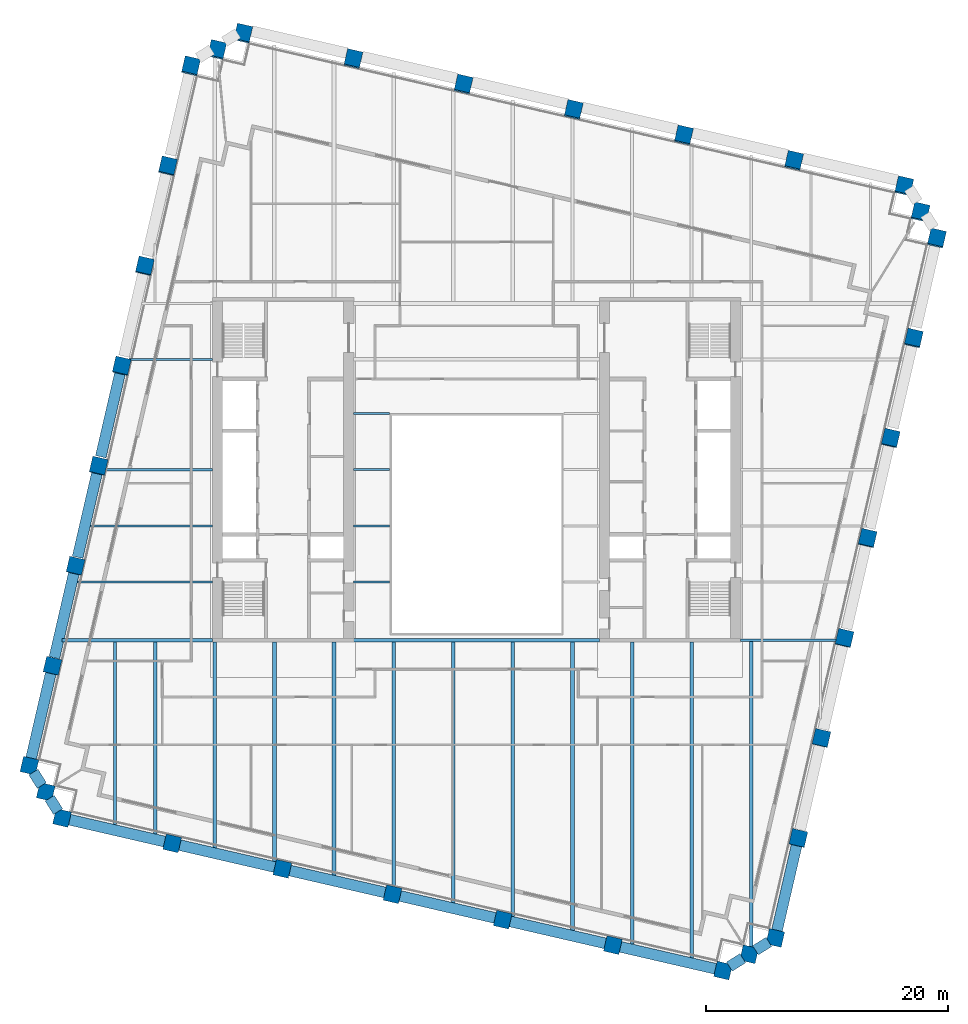
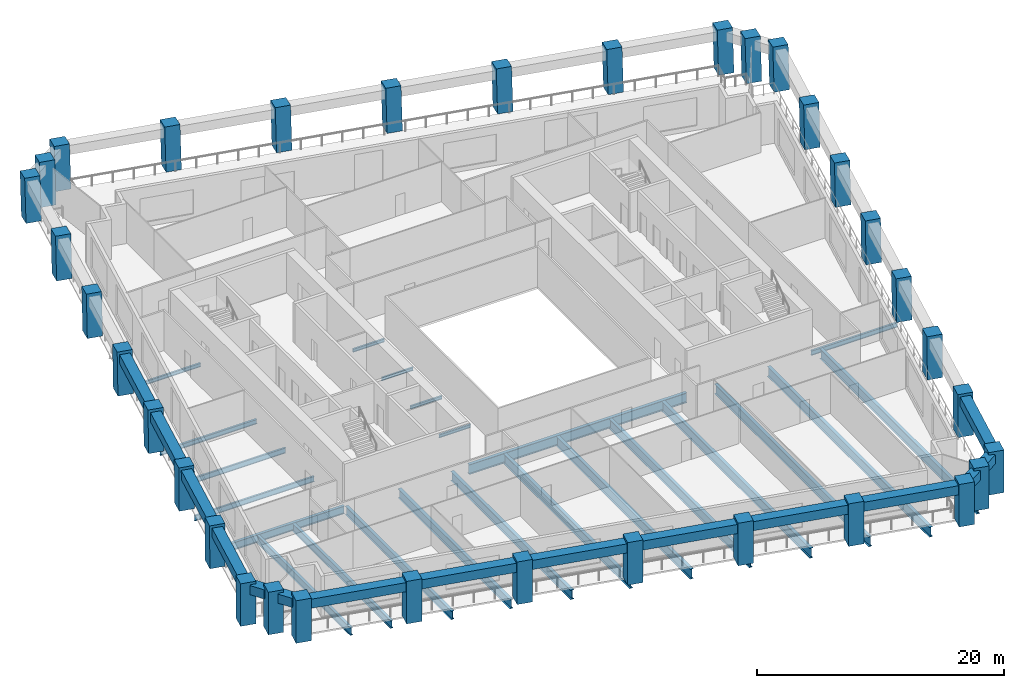
# One storey, part 1 of 10: 38 beams, 34 columns.
"""IFC4 building model written with IfcOpenShell, lengths in metres."""

from ifc_helpers import new_model, si_unit, direction, frame, origin, origin_2d, place, context, subcontext, project, spatial, rectangle, i_section, extrude, material, material_profile, profile_set, type_object, element, save


model = new_model("IFC4")

# Units and contexts
model_context = context("Model", 3, precision=1e-05, world=origin(), true_north=direction((0.0, 1.0)))
body_context = subcontext(model_context, "Body", "Model", "MODEL_VIEW")
ifc_project = project(units=[si_unit("LENGTHUNIT", "METRE"), si_unit("AREAUNIT", "SQUARE_METRE"), si_unit("VOLUMEUNIT", "CUBIC_METRE"), si_unit("PLANEANGLEUNIT", "RADIAN"), si_unit("MASSUNIT", "GRAM", prefix="KILO")], contexts=[model_context])

# Site, building, storey
site_placement = place(None, origin())
site = spatial("IfcSite", under=ifc_project, at=site_placement, CompositionType="ELEMENT")
building_placement = place(site_placement, origin())
building = spatial("IfcBuilding", under=site, at=building_placement, Name="Ogive Exchange Tower", CompositionType="ELEMENT")
storey_placement = place(building_placement, frame((0.0, 0.0, 151.800048828125)))
storey = spatial("IfcBuildingStorey", under=building, at=storey_placement, Name="L33", CompositionType="ELEMENT", Elevation=151.800048828125)

# Columns
ifc_material_1 = material(Name="Precast concrete C70/85 (limestone faced)", Category="masonry")
ifc_material_profile_1 = material_profile(ifc_material_1, rectangle(XDim=1.300048828125, YDim=1.300048828125, at=origin_2d()), Name="1300 x 1300")
ifc_profile_set_1 = profile_set([ifc_material_profile_1], Name="Precast concrete C70/85 (limestone faced)")
column_type = type_object("IfcColumnType", Name="Precast exoskeleton leg 1300 x 1300 C70/85", PredefinedType="COLUMN", material=ifc_profile_set_1)
for number, where, z_axis, x_axis, name in (
    (1, (-34.281982421875, -17.298095703125, 0.0), (0.0, 0.0, 1.0), (0.974370064785, -0.224951054344, 0.0), "Exoskeleton leg 1"),
    (2, (-25.171630859375, -19.401611328125, 0.0), (0.0, 0.0, 1.0), (0.974370064785, -0.224951054344, 0.0), "Exoskeleton leg 2"),
    (3, (-16.061279296875, -21.504638671875, 0.0), (0.0, 0.0, 1.0), (0.974370064785, -0.224951054344, 0.0), "Exoskeleton leg 3"),
    (4, (-6.950927734375, -23.60791015625, 0.0), (0.0, 0.0, 1.0), (0.974370064785, -0.224951054344, 0.0), "Exoskeleton leg 4"),
    (5, (2.159423828125, -25.711181640625, 0.0), (0.0, 0.0, 1.0), (0.974370064785, -0.224951054344, 0.0), "Exoskeleton leg 5"),
    (6, (11.269775390625, -27.814697265625, 0.0), (0.0, 0.0, 1.0), (0.974370064785, -0.224951054344, 0.0), "Exoskeleton leg 6"),
    (7, (20.380126953125, -29.91796875, 0.0), (0.0, 0.0, 1.0), (0.974370064785, -0.224951054344, 0.0), "Exoskeleton leg 7"),
    (8, (24.697509765625, -27.219970703125, 0.0), (0.0, 0.0, 1.0), (0.974370064785, -0.224951054344, 0.0), "Exoskeleton leg 8"),
):
    element("IfcColumn", number, at=place(storey_placement, frame(where, z_axis=z_axis, x_axis=x_axis)), inside=storey, type_object=column_type, Name=name, PredefinedType="COLUMN", context=body_context, shape_type="SweptSolid", body=[
        extrude(rectangle(XDim=1.300048828125, YDim=1.300048828125, at=origin_2d()), origin(), (0.0, 0.0, 1.0), 4.199951171875),
    ])
column_1_placement = place(storey_placement, frame((26.604736328125, -18.95947265625, 0.0), z_axis=(0.002906224189, 0.012671137464, 0.999915494498), x_axis=(-0.974691740237, 0.22355315143, 0.0)))
element("IfcColumn", 9, at=column_1_placement, inside=storey, type_object=column_type, Name="Exoskeleton leg 9", PredefinedType="COLUMN", context=body_context, shape_type="SweptSolid", body=[
    extrude(rectangle(XDim=1.300048828125, YDim=1.300048828125, at=origin_2d()), origin(), (0.0, 0.0, 1.0), 4.2001953125),
])
column_2_placement = place(storey_placement, frame((28.511962890625, -10.69873046875, 0.0), z_axis=(0.005810975449, 0.025335852957, 0.999662106474), x_axis=(-0.974691740237, 0.22355315143, 0.0)))
element("IfcColumn", 10, at=column_2_placement, inside=storey, type_object=column_type, Name="Exoskeleton leg 10", PredefinedType="COLUMN", context=body_context, shape_type="SweptSolid", body=[
    extrude(rectangle(XDim=1.300048828125, YDim=1.300048828125, at=origin_2d()), origin(), (0.0, 0.0, 1.0), 4.201416015625),
])
column_3_placement = place(storey_placement, frame((30.4189453125, -2.43798828125, 0.0), z_axis=(0.008770904004, 0.037871717951, 0.999244116431), x_axis=(-0.974214614928, 0.225623323396, 0.0)))
element("IfcColumn", 11, at=column_3_placement, inside=storey, type_object=column_type, Name="Exoskeleton leg 11", PredefinedType="COLUMN", context=body_context, shape_type="SweptSolid", body=[
    extrude(rectangle(XDim=1.300048828125, YDim=1.300048828125, at=origin_2d()), origin(), (0.0, 0.0, 1.0), 4.203125),
])
column_4_placement = place(storey_placement, frame((32.326171875, 5.822509765625, 0.0), z_axis=(0.011668267153, 0.050562490995, 0.998652735462), x_axis=(-0.974391195695, 0.224859506699, 0.0)))
element("IfcColumn", 12, at=column_4_placement, inside=storey, type_object=column_type, Name="Exoskeleton leg 12", PredefinedType="COLUMN", context=body_context, shape_type="SweptSolid", body=[
    extrude(rectangle(XDim=1.300048828125, YDim=1.300048828125, at=origin_2d()), origin(), (0.0, 0.0, 1.0), 4.20556640625),
])
column_5_placement = place(storey_placement, frame((34.233154296875, 14.083251953125, 0.0), z_axis=(0.014617836866, 0.063111930596, 0.997899395261), x_axis=(-0.974209784844, 0.225644178107, 0.0)))
element("IfcColumn", 13, at=column_5_placement, inside=storey, type_object=column_type, Name="Exoskeleton leg 13", PredefinedType="COLUMN", context=body_context, shape_type="SweptSolid", body=[
    extrude(rectangle(XDim=1.300048828125, YDim=1.300048828125, at=origin_2d()), origin(), (0.0, 0.0, 1.0), 4.208740234375),
])
column_6_placement = place(storey_placement, frame((36.140380859375, 22.34375, 0.0), z_axis=(0.017502025619, 0.075687567741, 0.996977969259), x_axis=(-0.974290512438, 0.225295355862, 0.0)))
element("IfcColumn", 14, at=column_6_placement, inside=storey, type_object=column_type, Name="Exoskeleton leg 14", PredefinedType="COLUMN", context=body_context, shape_type="SweptSolid", body=[
    extrude(rectangle(XDim=1.300048828125, YDim=1.300048828125, at=origin_2d()), origin(), (0.0, 0.0, 1.0), 4.212646484375),
])
for number, where, z_axis, x_axis, name in (
    (15, (38.047607421875, 30.6044921875, 0.0), (0.020319626563, 0.088225387128, 0.995893264282), (-0.974488096918, 0.224439187676, 0.0), "Exoskeleton leg 15"),
    (16, (35.349609375, 34.922119140625, 0.0), (0.020377597275, 0.088167842757, 0.995897175934), (-0.97431566651, 0.225186549318, 0.0), "Exoskeleton leg 16"),
    (17, (26.2392578125, 37.025390625, 0.0), (0.020377597275, 0.088167842757, 0.995897175934), (-0.97431566651, 0.225186549318, 0.0), "Exoskeleton leg 17"),
    (18, (17.12890625, 39.128662109375, 0.0), (0.020319730311, 0.088167946619, 0.995898349105), (-0.97445585692, 0.224579123952, 0.0), "Exoskeleton leg 18"),
    (19, (8.0185546875, 41.23193359375, 0.0), (0.020377493232, 0.0882252832, 0.995892091129), (-0.97434807649, 0.225046274885, 0.0), "Exoskeleton leg 19"),
    (20, (-1.091796875, 43.335205078125, 0.0), (0.020319626563, 0.088225387128, 0.995893264282), (-0.974488096918, 0.224439187676, 0.0), "Exoskeleton leg 20"),
    (21, (-10.2021484375, 45.4384765625, 0.0), (0.020377493232, 0.0882252832, 0.995892091129), (-0.97434807649, 0.225046274885, 0.0), "Exoskeleton leg 21"),
    (22, (-19.3125, 47.541748046875, 0.0), (0.020319626563, 0.088225387128, 0.995893264282), (-0.974488096918, 0.224439187676, 0.0), "Exoskeleton leg 22"),
    (23, (-23.630126953125, 44.84375, 0.0), (0.020377493232, 0.0882252832, 0.995892091129), (-0.97434807649, 0.225046274885, 0.0), "Exoskeleton leg 23"),
):
    element("IfcColumn", number, at=place(storey_placement, frame(where, z_axis=z_axis, x_axis=x_axis)), inside=storey, type_object=column_type, Name=name, PredefinedType="COLUMN", context=body_context, shape_type="SweptSolid", body=[
        extrude(rectangle(XDim=1.300048828125, YDim=1.300048828125, at=origin_2d()), origin(), (0.0, 0.0, 1.0), 4.21728515625),
    ])
column_7_placement = place(storey_placement, frame((-25.537353515625, 36.583251953125, 0.0), z_axis=(0.017502025619, 0.075687567741, 0.996977969259), x_axis=(-0.974290512438, 0.225295355862, 0.0)))
element("IfcColumn", 24, at=column_7_placement, inside=storey, type_object=column_type, Name="Exoskeleton leg 24", PredefinedType="COLUMN", context=body_context, shape_type="SweptSolid", body=[
    extrude(rectangle(XDim=1.300048828125, YDim=1.300048828125, at=origin_2d()), origin(), (0.0, 0.0, 1.0), 4.212646484375),
])
column_8_placement = place(storey_placement, frame((-27.4443359375, 28.322509765625, 0.0), z_axis=(0.014559788571, 0.063169759976, 0.997896584813), x_axis=(-0.97445148511, 0.224598092528, 0.0)))
element("IfcColumn", 25, at=column_8_placement, inside=storey, type_object=column_type, Name="Exoskeleton leg 25", PredefinedType="COLUMN", context=body_context, shape_type="SweptSolid", body=[
    extrude(rectangle(XDim=1.300048828125, YDim=1.300048828125, at=origin_2d()), origin(), (0.0, 0.0, 1.0), 4.208740234375),
])
column_9_placement = place(storey_placement, frame((-29.3515625, 20.06201171875, 0.0), z_axis=(0.011668301382, 0.050504588071, 0.998655665045), x_axis=(-0.974334539389, 0.225104876342, 0.0)))
element("IfcColumn", 26, at=column_9_placement, inside=storey, type_object=column_type, Name="Exoskeleton leg 26", PredefinedType="COLUMN", context=body_context, shape_type="SweptSolid", body=[
    extrude(rectangle(XDim=1.300048828125, YDim=1.300048828125, at=origin_2d()), origin(), (0.0, 0.0, 1.0), 4.20556640625),
])
column_10_placement = place(storey_placement, frame((-31.258544921875, 11.80126953125, 0.0), z_axis=(0.008770884695, 0.037929719907, 0.99924191662), x_axis=(-0.974290512438, 0.225295355862, 0.0)))
element("IfcColumn", 27, at=column_10_placement, inside=storey, type_object=column_type, Name="Exoskeleton leg 27", PredefinedType="COLUMN", context=body_context, shape_type="SweptSolid", body=[
    extrude(rectangle(XDim=1.300048828125, YDim=1.300048828125, at=origin_2d()), origin(), (0.0, 0.0, 1.0), 4.203125),
])
column_11_placement = place(storey_placement, frame((-33.165771484375, 3.540771484375, 0.0), z_axis=(0.005869091843, 0.025277771797, 0.999663237302), x_axis=(-0.974088391429, 0.226167649504, 0.0)))
element("IfcColumn", 28, at=column_11_placement, inside=storey, type_object=column_type, Name="Exoskeleton leg 28", PredefinedType="COLUMN", context=body_context, shape_type="SweptSolid", body=[
    extrude(rectangle(XDim=1.300048828125, YDim=1.300048828125, at=origin_2d()), origin(), (0.0, 0.0, 1.0), 4.201416015625),
])
column_12_placement = place(storey_placement, frame((-35.072998046875, -4.719970703125, 0.0), z_axis=(0.002964348167, 0.012671135303, 0.9999153239), x_axis=(-0.973709261374, 0.227794368487, 0.0)))
element("IfcColumn", 29, at=column_12_placement, inside=storey, type_object=column_type, Name="Exoskeleton leg 29", PredefinedType="COLUMN", context=body_context, shape_type="SweptSolid", body=[
    extrude(rectangle(XDim=1.300048828125, YDim=1.300048828125, at=origin_2d()), origin(), (0.0, 0.0, 1.0), 4.2001953125),
])
for number, where, z_axis, x_axis, name in (
    (30, (-36.97998046875, -12.980712890625, 0.0), (0.0, 0.0, 1.0), (0.974370064785, -0.224951054344, 0.0), "Exoskeleton leg 30"),
    (31, (22.538818359375, -28.569091796875, 0.0), (0.0, 0.0, 1.0), (0.974370064785, -0.224951054344, 0.0), "Exoskeleton leg 31"),
):
    element("IfcColumn", number, at=place(storey_placement, frame(where, z_axis=z_axis, x_axis=x_axis)), inside=storey, type_object=column_type, Name=name, PredefinedType="COLUMN", context=body_context, shape_type="SweptSolid", body=[
        extrude(rectangle(XDim=1.300048828125, YDim=1.300048828125, at=origin_2d()), origin(), (0.0, 0.0, 1.0), 4.199951171875),
    ])
for number, where, z_axis, x_axis, name in (
    (32, (36.698486328125, 32.76318359375, 0.0), (0.020377493232, 0.0882252832, 0.995892091129), (-0.97434807649, 0.225046274885, 0.0), "Exoskeleton leg 32"),
    (33, (-21.471435546875, 46.19287109375, 0.0), (0.020377597275, 0.088167842757, 0.995897175934), (-0.97431566651, 0.225186549318, 0.0), "Exoskeleton leg 33"),
):
    element("IfcColumn", number, at=place(storey_placement, frame(where, z_axis=z_axis, x_axis=x_axis)), inside=storey, type_object=column_type, Name=name, PredefinedType="COLUMN", context=body_context, shape_type="SweptSolid", body=[
        extrude(rectangle(XDim=1.300048828125, YDim=1.300048828125, at=origin_2d()), origin(), (0.0, 0.0, 1.0), 4.21728515625),
    ])
column_13_placement = place(storey_placement, frame((-35.631103515625, -15.139404296875, 0.0), z_axis=(0.0, 0.0, 1.0), x_axis=(0.974370064785, -0.224951054344, 0.0)))
element("IfcColumn", 34, at=column_13_placement, inside=storey, type_object=column_type, Name="Exoskeleton leg 34", PredefinedType="COLUMN", context=body_context, shape_type="SweptSolid", body=[
    extrude(rectangle(XDim=1.300048828125, YDim=1.300048828125, at=origin_2d()), origin(), (0.0, 0.0, 1.0), 4.199951171875),
])

# Beams
ifc_material_2 = material(Name="Steel ASTM A992 Gr50", Category="steel")
ifc_material_profile_2 = material_profile(ifc_material_2, i_section(OverallWidth=0.300048828125, OverallDepth=0.97998046875, WebThickness=0.0166015625, FlangeThickness=0.026123046875, at=origin_2d()), Name="W1000x249")
ifc_profile_set_2 = profile_set([ifc_material_profile_2], Name="Steel ASTM A992 Gr50")
beam_type_1 = type_object("IfcBeamType", Name="Floor beam W1000x249", PredefinedType="JOIST", material=ifc_profile_set_2)
beam_1_placement = place(storey_placement, frame((-6.861083984375, -23.1669921875, -0.68994140625), z_axis=(0.0, 1.0, 0.0), x_axis=(-1.0, 0.0, 0.0)))
element("IfcBeam", 35, at=beam_1_placement, inside=storey, type_object=beam_type_1, Name="Floor beam", PredefinedType="JOIST", context=body_context, shape_type="SweptSolid", body=[
    extrude(i_section(OverallWidth=0.300048828125, OverallDepth=0.97998046875, WebThickness=0.0166015625, FlangeThickness=0.026123046875, at=origin_2d()), origin(), (0.0, 0.0, 1.0), 20.421875),
])
beam_2_placement = place(storey_placement, frame((-1.93115234375, -24.455078125, -0.68994140625), z_axis=(0.0, 1.0, 0.0), x_axis=(-1.0, 0.0, 0.0)))
element("IfcBeam", 36, at=beam_2_placement, inside=storey, type_object=beam_type_1, Name="Floor beam", PredefinedType="JOIST", context=body_context, shape_type="SweptSolid", body=[
    extrude(i_section(OverallWidth=0.300048828125, OverallDepth=0.97998046875, WebThickness=0.0166015625, FlangeThickness=0.026123046875, at=origin_2d()), origin(), (0.0, 0.0, 1.0), 21.7099609375),
])
beam_3_placement = place(storey_placement, frame((2.998779296875, -25.443359375, -0.68994140625), z_axis=(0.0, 1.0, 0.0), x_axis=(-1.0, 0.0, 0.0)))
element("IfcBeam", 37, at=beam_3_placement, inside=storey, type_object=beam_type_1, Name="Floor beam", PredefinedType="JOIST", context=body_context, shape_type="SweptSolid", body=[
    extrude(i_section(OverallWidth=0.300048828125, OverallDepth=0.97998046875, WebThickness=0.0166015625, FlangeThickness=0.026123046875, at=origin_2d()), origin(), (0.0, 0.0, 1.0), 22.6982421875),
])
beam_4_placement = place(storey_placement, frame((7.9287109375, -26.7314453125, -0.68994140625), z_axis=(0.0, 1.0, 0.0), x_axis=(-1.0, 0.0, 0.0)))
element("IfcBeam", 38, at=beam_4_placement, inside=storey, type_object=beam_type_1, Name="Floor beam", PredefinedType="JOIST", context=body_context, shape_type="SweptSolid", body=[
    extrude(i_section(OverallWidth=0.300048828125, OverallDepth=0.97998046875, WebThickness=0.0166015625, FlangeThickness=0.026123046875, at=origin_2d()), origin(), (0.0, 0.0, 1.0), 23.986328125),
])
beam_5_placement = place(storey_placement, frame((12.8583984375, -27.719482421875, -0.68994140625), z_axis=(0.0, 1.0, 0.0), x_axis=(-1.0, 0.0, 0.0)))
element("IfcBeam", 39, at=beam_5_placement, inside=storey, type_object=beam_type_1, Name="Floor beam", PredefinedType="JOIST", context=body_context, shape_type="SweptSolid", body=[
    extrude(i_section(OverallWidth=0.300048828125, OverallDepth=0.97998046875, WebThickness=0.0166015625, FlangeThickness=0.026123046875, at=origin_2d()), origin(), (0.0, 0.0, 1.0), 24.969482421875),
])
beam_6_placement = place(storey_placement, frame((17.788330078125, -29.0078125, -0.68994140625), z_axis=(0.0, 1.0, 0.0), x_axis=(-1.0, 0.0, 0.0)))
element("IfcBeam", 40, at=beam_6_placement, inside=storey, type_object=beam_type_1, Name="Floor beam", PredefinedType="JOIST", context=body_context, shape_type="SweptSolid", body=[
    extrude(i_section(OverallWidth=0.300048828125, OverallDepth=0.97998046875, WebThickness=0.0166015625, FlangeThickness=0.026123046875, at=origin_2d()), origin(), (0.0, 0.0, 1.0), 26.2578125),
])
beam_7_placement = place(storey_placement, frame((22.71826171875, -28.09326171875, -0.68994140625), z_axis=(0.0, 1.0, 0.0), x_axis=(-1.0, 0.0, 0.0)))
element("IfcBeam", 41, at=beam_7_placement, inside=storey, type_object=beam_type_1, Name="Floor beam", PredefinedType="JOIST", context=body_context, shape_type="SweptSolid", body=[
    extrude(i_section(OverallWidth=0.300048828125, OverallDepth=0.97998046875, WebThickness=0.0166015625, FlangeThickness=0.026123046875, at=origin_2d()), origin(), (0.0, 0.0, 1.0), 25.40283203125),
])
ifc_material_profile_3 = material_profile(ifc_material_2, i_section(OverallWidth=0.1650390625, OverallDepth=0.31005859375, WebThickness=0.005859375, FlangeThickness=0.009765625, at=origin_2d()), Name="W310x38.7")
ifc_profile_set_3 = profile_set([ifc_material_profile_3], Name="Steel ASTM A992 Gr50")
beam_type_2 = type_object("IfcBeamType", Name="Floor beam W310x38.7", PredefinedType="JOIST", material=ifc_profile_set_3)
for number, where, z_axis, x_axis, name in (
    (42, (-10.169921875, 2.208740234375, -0.35498046875), (1.0, 0.0, 0.0), (0.0, 1.0, 0.0), "Floor beam"),
    (43, (-10.169921875, 6.857421875, -0.35498046875), (1.0, 0.0, 0.0), (0.0, 1.0, 0.0), "Floor beam"),
    (44, (-10.169921875, 11.50634765625, -0.35498046875), (1.0, 0.0, 0.0), (0.0, 1.0, 0.0), "Floor beam"),
):
    element("IfcBeam", number, at=place(storey_placement, frame(where, z_axis=z_axis, x_axis=x_axis)), inside=storey, type_object=beam_type_2, Name=name, PredefinedType="JOIST", context=body_context, shape_type="SweptSolid", body=[
        extrude(i_section(OverallWidth=0.1650390625, OverallDepth=0.31005859375, WebThickness=0.005859375, FlangeThickness=0.009765625, at=origin_2d()), origin(), (0.0, 0.0, 1.0), 2.949951171875),
    ])
ifc_material_profile_4 = material_profile(ifc_material_2, i_section(OverallWidth=0.1708984375, OverallDepth=0.35595703125, WebThickness=0.00732421875, FlangeThickness=0.01171875, at=origin_2d()), Name="W360x51")
ifc_profile_set_4 = profile_set([ifc_material_profile_4], Name="Steel ASTM A992 Gr50")
beam_type_3 = type_object("IfcBeamType", Name="Floor beam W360x51", PredefinedType="JOIST", material=ifc_profile_set_4)
beam_8_placement = place(storey_placement, frame((-28.76025390625, 20.62255859375, -0.3779296875), z_axis=(1.0, 0.0, 0.0), x_axis=(0.0, 1.0, 0.0)))
element("IfcBeam", 45, at=beam_8_placement, inside=storey, type_object=beam_type_3, Name="Floor beam", PredefinedType="JOIST", context=body_context, shape_type="SweptSolid", body=[
    extrude(i_section(OverallWidth=0.1708984375, OverallDepth=0.35595703125, WebThickness=0.00732421875, FlangeThickness=0.01171875, at=origin_2d()), origin(), (0.0, 0.0, 1.0), 6.93017578125),
])
ifc_material_profile_5 = material_profile(ifc_material_2, i_section(OverallWidth=0.19091796875, OverallDepth=0.45703125, WebThickness=0.009033203125, FlangeThickness=0.014404296875, at=origin_2d()), Name="W460x74")
ifc_profile_set_5 = profile_set([ifc_material_profile_5], Name="Steel ASTM A992 Gr50")
beam_type_4 = type_object("IfcBeamType", Name="Floor beam W460x74", PredefinedType="JOIST", material=ifc_profile_set_5)
beam_9_placement = place(storey_placement, frame((-30.864990234375, 11.50634765625, -0.428466796875), z_axis=(1.0, 0.0, 0.0), x_axis=(0.0, 1.0, 0.0)))
element("IfcBeam", 46, at=beam_9_placement, inside=storey, type_object=beam_type_4, Name="Floor beam", PredefinedType="JOIST", context=body_context, shape_type="SweptSolid", body=[
    extrude(i_section(OverallWidth=0.19091796875, OverallDepth=0.45703125, WebThickness=0.009033203125, FlangeThickness=0.014404296875, at=origin_2d()), origin(), (0.0, 0.0, 1.0), 9.034912109375),
])
ifc_material_profile_6 = material_profile(ifc_material_2, i_section(OverallWidth=0.1669921875, OverallDepth=0.535888671875, WebThickness=0.01025390625, FlangeThickness=0.0166015625, at=origin_2d()), Name="W530x85")
ifc_profile_set_6 = profile_set([ifc_material_profile_6], Name="Steel ASTM A992 Gr50")
beam_type_5 = type_object("IfcBeamType", Name="Floor beam W530x85", PredefinedType="JOIST", material=ifc_profile_set_6)
beam_10_placement = place(storey_placement, frame((-33.011474609375, 2.208740234375, -0.468017578125), z_axis=(1.0, 0.0, 0.0), x_axis=(0.0, 1.0, 0.0)))
element("IfcBeam", 47, at=beam_10_placement, inside=storey, type_object=beam_type_5, Name="Floor beam", PredefinedType="JOIST", context=body_context, shape_type="SweptSolid", body=[
    extrude(i_section(OverallWidth=0.1669921875, OverallDepth=0.535888671875, WebThickness=0.01025390625, FlangeThickness=0.0166015625, at=origin_2d()), origin(), (0.0, 0.0, 1.0), 11.181396484375),
])
beam_11_placement = place(storey_placement, frame((-31.938232421875, 6.857421875, -0.468017578125), z_axis=(1.0, 0.0, 0.0), x_axis=(0.0, 1.0, 0.0)))
element("IfcBeam", 48, at=beam_11_placement, inside=storey, type_object=beam_type_5, Name="Floor beam", PredefinedType="JOIST", context=body_context, shape_type="SweptSolid", body=[
    extrude(i_section(OverallWidth=0.1669921875, OverallDepth=0.535888671875, WebThickness=0.01025390625, FlangeThickness=0.0166015625, at=origin_2d()), origin(), (0.0, 0.0, 1.0), 10.108154296875),
])
ifc_material_profile_7 = material_profile(ifc_material_2, i_section(OverallWidth=0.26708984375, OverallDepth=0.75390625, WebThickness=0.01318359375, FlangeThickness=0.01708984375, at=origin_2d()), Name="W760x147")
ifc_profile_set_7 = profile_set([ifc_material_profile_7], Name="Steel ASTM A992 Gr50")
beam_type_6 = type_object("IfcBeamType", Name="Floor beam W760x147", PredefinedType="JOIST", material=ifc_profile_set_7)
beam_12_placement = place(storey_placement, frame((-29.910400390625, -17.845703125, -0.5771484375), z_axis=(0.0, 1.0, 0.0), x_axis=(-1.0, 0.0, 0.0)))
element("IfcBeam", 49, at=beam_12_placement, inside=storey, type_object=beam_type_6, Name="Floor beam", PredefinedType="JOIST", context=body_context, shape_type="SweptSolid", body=[
    extrude(i_section(OverallWidth=0.26708984375, OverallDepth=0.75390625, WebThickness=0.01318359375, FlangeThickness=0.01708984375, at=origin_2d()), origin(), (0.0, 0.0, 1.0), 15.1171875),
])
ifc_material_profile_8 = material_profile(ifc_material_2, i_section(OverallWidth=0.26708984375, OverallDepth=0.761962890625, WebThickness=0.014404296875, FlangeThickness=0.021484375, at=origin_2d()), Name="W760x173")
ifc_profile_set_8 = profile_set([ifc_material_profile_8], Name="Steel ASTM A992 Gr50")
beam_type_7 = type_object("IfcBeamType", Name="Floor beam W760x173", PredefinedType="JOIST", material=ifc_profile_set_8)
beam_13_placement = place(storey_placement, frame((-26.58056640625, -18.614501953125, -0.5810546875), z_axis=(0.0, 1.0, 0.0), x_axis=(-1.0, 0.0, 0.0)))
element("IfcBeam", 50, at=beam_13_placement, inside=storey, type_object=beam_type_7, Name="Floor beam", PredefinedType="JOIST", context=body_context, shape_type="SweptSolid", body=[
    extrude(i_section(OverallWidth=0.26708984375, OverallDepth=0.761962890625, WebThickness=0.014404296875, FlangeThickness=0.021484375, at=origin_2d()), origin(), (0.0, 0.0, 1.0), 15.885986328125),
])
ifc_material_profile_9 = material_profile(ifc_material_2, i_section(OverallWidth=0.2919921875, OverallDepth=0.8359375, WebThickness=0.013916015625, FlangeThickness=0.018798828125, at=origin_2d()), Name="W840x176")
ifc_profile_set_9 = profile_set([ifc_material_profile_9], Name="Steel ASTM A992 Gr50")
beam_type_8 = type_object("IfcBeamType", Name="Floor beam W840x176", PredefinedType="JOIST", material=ifc_profile_set_9)
beam_14_placement = place(storey_placement, frame((-21.650634765625, -19.902587890625, -0.6181640625), z_axis=(0.0, 1.0, 0.0), x_axis=(-1.0, 0.0, 0.0)))
element("IfcBeam", 51, at=beam_14_placement, inside=storey, type_object=beam_type_8, Name="Floor beam", PredefinedType="JOIST", context=body_context, shape_type="SweptSolid", body=[
    extrude(i_section(OverallWidth=0.2919921875, OverallDepth=0.8359375, WebThickness=0.013916015625, FlangeThickness=0.018798828125, at=origin_2d()), origin(), (0.0, 0.0, 1.0), 17.152587890625),
])
ifc_material_profile_10 = material_profile(ifc_material_2, i_section(OverallWidth=0.304931640625, OverallDepth=0.904052734375, WebThickness=0.01513671875, FlangeThickness=0.02001953125, at=origin_2d()), Name="W920x201")
ifc_profile_set_10 = profile_set([ifc_material_profile_10], Name="Steel ASTM A992 Gr50")
beam_type_9 = type_object("IfcBeamType", Name="Floor beam W920x201", PredefinedType="JOIST", material=ifc_profile_set_10)
beam_15_placement = place(storey_placement, frame((-16.720703125, -20.890625, -0.652099609375), z_axis=(0.0, 1.0, 0.0), x_axis=(-1.0, 0.0, 0.0)))
element("IfcBeam", 52, at=beam_15_placement, inside=storey, type_object=beam_type_9, Name="Floor beam", PredefinedType="JOIST", context=body_context, shape_type="SweptSolid", body=[
    extrude(i_section(OverallWidth=0.304931640625, OverallDepth=0.904052734375, WebThickness=0.01513671875, FlangeThickness=0.02001953125, at=origin_2d()), origin(), (0.0, 0.0, 1.0), 18.140625),
])
ifc_material_profile_11 = material_profile(ifc_material_2, i_section(OverallWidth=0.306884765625, OverallDepth=0.927001953125, WebThickness=0.019287109375, FlangeThickness=0.031982421875, at=origin_2d()), Name="W920x289")
ifc_profile_set_11 = profile_set([ifc_material_profile_11], Name="Steel ASTM A992 Gr50")
beam_type_10 = type_object("IfcBeamType", Name="Floor beam W920x289", PredefinedType="JOIST", material=ifc_profile_set_11)
beam_16_placement = place(storey_placement, frame((-11.791015625, -22.1787109375, -0.66357421875), z_axis=(0.0, 1.0, 0.0), x_axis=(-1.0, 0.0, 0.0)))
element("IfcBeam", 53, at=beam_16_placement, inside=storey, type_object=beam_type_10, Name="Floor beam", PredefinedType="JOIST", context=body_context, shape_type="SweptSolid", body=[
    extrude(i_section(OverallWidth=0.306884765625, OverallDepth=0.927001953125, WebThickness=0.019287109375, FlangeThickness=0.031982421875, at=origin_2d()), origin(), (0.0, 0.0, 1.0), 19.4287109375),
])
ifc_material_profile_12 = material_profile(ifc_material_2, i_section(OverallWidth=0.300048828125, OverallDepth=0.97998046875, WebThickness=0.0166015625, FlangeThickness=0.026123046875, at=origin_2d()), Name="W1000x249")
ifc_profile_set_12 = profile_set([ifc_material_profile_12], Name="Steel ASTM A992 Gr50")
beam_type_11 = type_object("IfcBeamType", Name="Girder W1000x249", PredefinedType="BEAM", material=ifc_profile_set_12)
beam_17_placement = place(storey_placement, frame((-10.169921875, -2.594970703125, -0.68994140625), z_axis=(1.0, 0.0, 0.0), x_axis=(0.0, 1.0, 0.0)))
element("IfcBeam", 54, at=beam_17_placement, inside=storey, type_object=beam_type_11, Name="Header girder", PredefinedType="BEAM", context=body_context, shape_type="SweptSolid", body=[
    extrude(i_section(OverallWidth=0.300048828125, OverallDepth=0.97998046875, WebThickness=0.0166015625, FlangeThickness=0.026123046875, at=origin_2d()), origin(), (0.0, 0.0, 1.0), 20.33984375),
])
ifc_material_profile_13 = material_profile(ifc_material_2, i_section(OverallWidth=0.1650390625, OverallDepth=0.31005859375, WebThickness=0.005859375, FlangeThickness=0.009765625, at=origin_2d()), Name="W310x38.7")
ifc_profile_set_13 = profile_set([ifc_material_profile_13], Name="Steel ASTM A992 Gr50")
beam_type_12 = type_object("IfcBeamType", Name="Girder W310x38.7", PredefinedType="BEAM", material=ifc_profile_set_13)
beam_18_placement = place(storey_placement, frame((-10.169921875, 16.155029296875, -0.35498046875), z_axis=(1.0, 0.0, 0.0), x_axis=(0.0, 1.0, 0.0)))
element("IfcBeam", 55, at=beam_18_placement, inside=storey, type_object=beam_type_12, Name="Trimmer girder", PredefinedType="BEAM", context=body_context, shape_type="SweptSolid", body=[
    extrude(i_section(OverallWidth=0.1650390625, OverallDepth=0.31005859375, WebThickness=0.005859375, FlangeThickness=0.009765625, at=origin_2d()), origin(), (0.0, 0.0, 1.0), 2.949951171875),
])
ifc_material_profile_14 = material_profile(ifc_material_2, i_section(OverallWidth=0.19091796875, OverallDepth=0.45703125, WebThickness=0.009033203125, FlangeThickness=0.014404296875, at=origin_2d()), Name="W460x74")
ifc_profile_set_14 = profile_set([ifc_material_profile_14], Name="Steel ASTM A992 Gr50")
beam_type_13 = type_object("IfcBeamType", Name="Girder W460x74", PredefinedType="BEAM", material=ifc_profile_set_14)
beam_19_placement = place(storey_placement, frame((21.830078125, -2.594970703125, -0.428466796875), z_axis=(1.0, 0.0, 0.0), x_axis=(0.0, 1.0, 0.0)))
element("IfcBeam", 56, at=beam_19_placement, inside=storey, type_object=beam_type_13, Name="Header girder", PredefinedType="BEAM", context=body_context, shape_type="SweptSolid", body=[
    extrude(i_section(OverallWidth=0.19091796875, OverallDepth=0.45703125, WebThickness=0.009033203125, FlangeThickness=0.014404296875, at=origin_2d()), origin(), (0.0, 0.0, 1.0), 8.0908203125),
])
ifc_material_profile_15 = material_profile(ifc_material_2, i_section(OverallWidth=0.26708984375, OverallDepth=0.75390625, WebThickness=0.01318359375, FlangeThickness=0.01708984375, at=origin_2d()), Name="W760x147")
ifc_profile_set_15 = profile_set([ifc_material_profile_15], Name="Steel ASTM A992 Gr50")
beam_type_14 = type_object("IfcBeamType", Name="Girder W760x147", PredefinedType="BEAM", material=ifc_profile_set_15)
beam_20_placement = place(storey_placement, frame((-34.2705078125, -2.594970703125, -0.5771484375), z_axis=(1.0, 0.0, 0.0), x_axis=(0.0, 1.0, 0.0)))
element("IfcBeam", 57, at=beam_20_placement, inside=storey, type_object=beam_type_14, Name="Header girder", PredefinedType="BEAM", context=body_context, shape_type="SweptSolid", body=[
    extrude(i_section(OverallWidth=0.26708984375, OverallDepth=0.75390625, WebThickness=0.01318359375, FlangeThickness=0.01708984375, at=origin_2d()), origin(), (0.0, 0.0, 1.0), 12.4404296875),
])
ifc_material_profile_16 = material_profile(ifc_material_1, rectangle(XDim=0.89990234375, YDim=0.89990234375, at=origin_2d()), Name="900 x 900")
ifc_profile_set_16 = profile_set([ifc_material_profile_16], Name="Precast concrete C70/85 (limestone faced)")
beam_type_15 = type_object("IfcBeamType", Name="Precast spandrel 900 x 900 C70/85", PredefinedType="SPANDREL", material=ifc_profile_set_16)
for number, where, z_axis, x_axis, name in (
    (58, (-33.668212890625, -17.43994140625, 3.5), (0.974370337884, -0.224949871421, 0.0), (0.224949871421, 0.974370337884, 0.0), "Spandrel 1"),
    (59, (-24.557861328125, -19.543212890625, 3.5), (0.974370337884, -0.224949871421, 0.0), (0.224949871421, 0.974370337884, 0.0), "Spandrel 2"),
):
    element("IfcBeam", number, at=place(storey_placement, frame(where, z_axis=z_axis, x_axis=x_axis)), inside=storey, type_object=beam_type_15, Name=name, PredefinedType="SPANDREL", context=body_context, shape_type="SweptSolid", body=[
        extrude(rectangle(XDim=0.89990234375, YDim=0.89990234375, at=origin_2d()), origin(), (0.0, 0.0, 1.0), 8.08984375),
    ])
beam_21_placement = place(storey_placement, frame((-15.447509765625, -21.646484375, 3.5), z_axis=(0.974371864918, -0.224943256972, 0.0), x_axis=(0.224943256972, 0.974371864918, 0.0)))
element("IfcBeam", 60, at=beam_21_placement, inside=storey, type_object=beam_type_15, Name="Spandrel 3", PredefinedType="SPANDREL", context=body_context, shape_type="SweptSolid", body=[
    extrude(rectangle(XDim=0.89990234375, YDim=0.89990234375, at=origin_2d()), origin(), (0.0, 0.0, 1.0), 8.090087890625),
])
beam_22_placement = place(storey_placement, frame((-6.337158203125, -23.749755859375, 3.5), z_axis=(0.974370337884, -0.224949871421, 0.0), x_axis=(0.224949871421, 0.974370337884, 0.0)))
element("IfcBeam", 61, at=beam_22_placement, inside=storey, type_object=beam_type_15, Name="Spandrel 4", PredefinedType="SPANDREL", context=body_context, shape_type="SweptSolid", body=[
    extrude(rectangle(XDim=0.89990234375, YDim=0.89990234375, at=origin_2d()), origin(), (0.0, 0.0, 1.0), 8.08984375),
])
beam_23_placement = place(storey_placement, frame((2.773193359375, -25.85302734375, 3.5), z_axis=(0.974371864918, -0.224943256972, 0.0), x_axis=(0.224943256972, 0.974371864918, 0.0)))
element("IfcBeam", 62, at=beam_23_placement, inside=storey, type_object=beam_type_15, Name="Spandrel 5", PredefinedType="SPANDREL", context=body_context, shape_type="SweptSolid", body=[
    extrude(rectangle(XDim=0.89990234375, YDim=0.89990234375, at=origin_2d()), origin(), (0.0, 0.0, 1.0), 8.090087890625),
])
beam_24_placement = place(storey_placement, frame((11.883544921875, -27.956298828125, 3.5), z_axis=(0.974370337884, -0.224949871421, 0.0), x_axis=(0.224949871421, 0.974370337884, 0.0)))
element("IfcBeam", 63, at=beam_24_placement, inside=storey, type_object=beam_type_15, Name="Spandrel 6", PredefinedType="SPANDREL", context=body_context, shape_type="SweptSolid", body=[
    extrude(rectangle(XDim=0.89990234375, YDim=0.89990234375, at=origin_2d()), origin(), (0.0, 0.0, 1.0), 8.08984375),
])
for number, where, z_axis, x_axis, name in (
    (64, (20.9052734375, -29.58984375, 3.5), (0.848040277303, 0.529931776808, 0.0), (-0.529931776808, 0.848040277303, 0.0), "Spandrel 7"),
    (65, (23.06396484375, -28.24072265625, 3.5), (0.848092721491, 0.529847842077, 0.0), (-0.529847842077, 0.848092721491, 0.0), "Spandrel 8"),
):
    element("IfcBeam", number, at=place(storey_placement, frame(where, z_axis=z_axis, x_axis=x_axis)), inside=storey, type_object=beam_type_15, Name=name, PredefinedType="SPANDREL", context=body_context, shape_type="SweptSolid", body=[
        extrude(rectangle(XDim=0.89990234375, YDim=0.89990234375, at=origin_2d()), origin(), (0.0, 0.0, 1.0), 1.30712890625),
    ])
for number, where, z_axis, x_axis, name in (
    (66, (24.83935546875, -26.606201171875, 3.5), (0.224952671893, 0.974369691343, 0.0), (-0.974369691343, 0.224952671893, 0.0), "Spandrel 9"),
    (67, (-29.444091796875, 19.66064453125, 3.5), (-0.22496003024, -0.974367992493, 0.0), (0.974367992493, -0.22496003024, 0.0), "Spandrel 29"),
    (68, (-31.363525390625, 11.346923828125, 3.5), (-0.224952671893, -0.974369691343, 0.0), (0.974369691343, -0.224952671893, 0.0), "Spandrel 30"),
    (69, (-33.282958984375, 3.033203125, 3.5), (-0.224952671893, -0.974369691343, 0.0), (0.974369691343, -0.224952671893, 0.0), "Spandrel 31"),
    (70, (-35.202392578125, -5.28076171875, 3.5), (-0.22496003024, -0.974367992493, 0.0), (0.974367992493, -0.22496003024, 0.0), "Spandrel 32"),
):
    element("IfcBeam", number, at=place(storey_placement, frame(where, z_axis=z_axis, x_axis=x_axis)), inside=storey, type_object=beam_type_15, Name=name, PredefinedType="SPANDREL", context=body_context, shape_type="SweptSolid", body=[
        extrude(rectangle(XDim=0.89990234375, YDim=0.89990234375, at=origin_2d()), origin(), (0.0, 0.0, 1.0), 7.2724609375),
    ])
for number, where, z_axis, x_axis, name in (
    (71, (-36.65185546875, -13.505615234375, 3.5), (0.529847842077, -0.848092721491, 0.0), (0.848092721491, 0.529847842077, 0.0), "Spandrel 33"),
    (72, (-35.302978515625, -15.66455078125, 3.5), (0.530066093226, -0.847956329543, 0.0), (0.847956329543, 0.530066093226, 0.0), "Spandrel 34"),
):
    element("IfcBeam", number, at=place(storey_placement, frame(where, z_axis=z_axis, x_axis=x_axis)), inside=storey, type_object=beam_type_15, Name=name, PredefinedType="SPANDREL", context=body_context, shape_type="SweptSolid", body=[
        extrude(rectangle(XDim=0.89990234375, YDim=0.89990234375, at=origin_2d()), origin(), (0.0, 0.0, 1.0), 1.30712890625),
    ])

save(model, "model.ifc")
